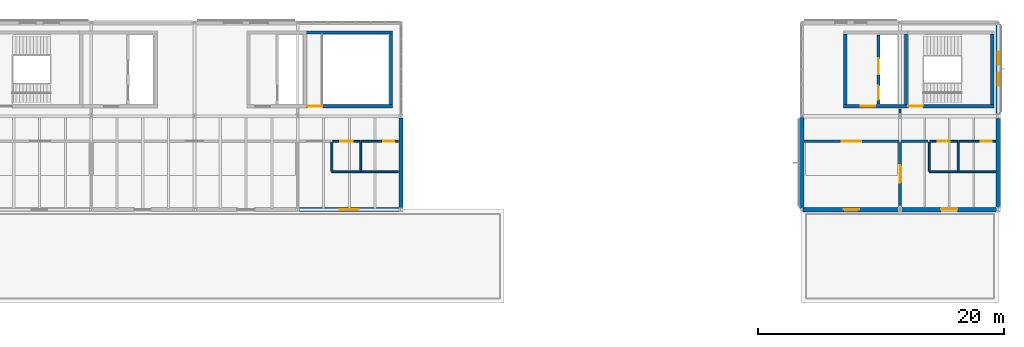
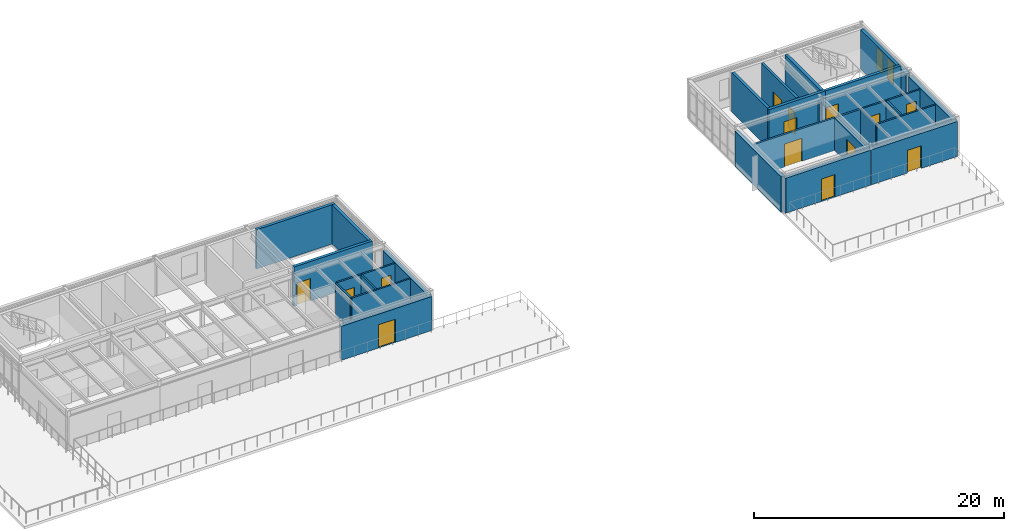
# One storey, part 22 of 26: 30 walls, 14 doors, 2 windows, 16 openings.
"""IFC4 building model written with IfcOpenShell, lengths in metres."""

from ifc_helpers import new_model, si_unit, direction, frame, frame_2d, origin, place, context, subcontext, project, spatial, rectangle, extrude, material, layer, layer_set, type_object, element, fill, save


model = new_model("IFC4")

# Units and contexts
model_context = context("Model", 3, precision=1e-05, world=origin(), true_north=direction((0.0, 1.0)))
body_context = subcontext(model_context, "Body", "Model", "MODEL_VIEW")
ifc_project = project(units=[si_unit("LENGTHUNIT", "METRE"), si_unit("AREAUNIT", "SQUARE_METRE"), si_unit("VOLUMEUNIT", "CUBIC_METRE"), si_unit("PLANEANGLEUNIT", "RADIAN"), si_unit("MASSUNIT", "GRAM", prefix="KILO")], contexts=[model_context])

# Site, building, storey
site_placement = place(None, origin())
site = spatial("IfcSite", under=ifc_project, at=site_placement, CompositionType="ELEMENT")
building_placement = place(site_placement, origin())
building = spatial("IfcBuilding", under=site, at=building_placement, Name="Montecoro Central Library", CompositionType="ELEMENT")
storey_placement = place(building_placement, frame((0.0, 0.0, 21.419921875)))
storey = spatial("IfcBuildingStorey", under=building, at=storey_placement, Name="L05", CompositionType="ELEMENT", Elevation=21.419921875)

# Wall, opening, door
ifc_material_1 = material(Name="Roman travertine stone clad concrete C35/45", Category="masonry")
ifc_layer_1 = layer(ifc_material_1, 0.364990234375)
ifc_layer_set_1 = layer_set([ifc_layer_1], Name="Roman travertine stone clad concrete C35/45")
wall_type_1 = type_object("IfcWallType", Name="EW-STK-365", PredefinedType="SOLIDWALL", material=ifc_layer_set_1)
wall_1_placement = place(storey_placement, frame((141.093017578125, 103.800048828125, 0.0), z_axis=(0.0, 0.0, 1.0), x_axis=(1.0, 0.0, 0.0)))
wall_1 = element("IfcWall", 1, at=wall_1_placement, inside=storey, type_object=wall_type_1, Name="V5-L05-EW-S0", PredefinedType="SOLIDWALL", context=body_context, shape_type="SweptSolid", body=[
    extrude(rectangle(XDim=7.902099609375, YDim=0.364990234375, at=frame_2d((3.951171875, 0.0))), origin(), (0.0, 0.0, 1.0), 3.43017578125),
])
opening_1_placement = place(wall_1_placement, frame((3.325927734375, 0.0, 0.0)))
opening_1 = element("IfcOpeningElement", 2, at=opening_1_placement, cuts=wall_1, Name="Opening ED-09", PredefinedType="OPENING", context=body_context, shape_type="SweptSolid", body=[
    extrude(rectangle(XDim=1.25, YDim=2.199951171875, at=frame_2d((0.625, 1.10009765625))), frame((0.0, 0.1923828125, 0.0), z_axis=(0.0, -1.0, 0.0), x_axis=(1.0, 0.0, 0.0)), (0.0, 0.0, 1.0), 0.385009765625),
])
ifc_material_2 = material(Name="Thermally broken architectural bronze and safety glass", Category="glass")
door_type_1 = type_object("IfcDoorType", Name="ED-TER-125", OperationType="NOTDEFINED", PredefinedType="DOOR", material=ifc_material_2)
door_1_placement = place(opening_1_placement, origin())
door_1 = element("IfcDoor", 3, at=door_1_placement, inside=storey, type_object=door_type_1, Name="V5-L05-TD-S0", OperationType="SINGLE_SWING_RIGHT", OverallHeight=2.199951171875, OverallWidth=1.25, PredefinedType="DOOR", context=body_context, shape_type="SweptSolid", body=[
    extrude(rectangle(XDim=1.25, YDim=2.199951171875, at=frame_2d((0.625, 1.10009765625))), frame((0.0, 0.02490234375, 0.0), z_axis=(0.0, -1.0, 0.0), x_axis=(1.0, 0.0, 0.0)), (0.0, 0.0, 1.0), 0.050048828125),
])
fill(opening_1, door_1)

wall_2_placement = place(storey_placement, frame((149.0048828125, 103.800048828125, 0.0), z_axis=(0.0, 0.0, 1.0), x_axis=(1.0, 0.0, 0.0)))
wall_2 = element("IfcWall", 4, at=wall_2_placement, inside=storey, type_object=wall_type_1, Name="V5-L05-EW-S1", PredefinedType="SOLIDWALL", context=body_context, shape_type="SweptSolid", body=[
    extrude(rectangle(XDim=7.990234375, YDim=0.364990234375, at=frame_2d((3.9951171875, 0.0))), origin(), (0.0, 0.0, 1.0), 3.43017578125),
])
opening_2_placement = place(wall_2_placement, frame((3.3349609375, 0.0, 0.0)))
opening_2 = element("IfcOpeningElement", 5, at=opening_2_placement, cuts=wall_2, Name="Opening ED-10", PredefinedType="OPENING", context=body_context, shape_type="SweptSolid", body=[
    extrude(rectangle(XDim=1.320068359375, YDim=2.219970703125, at=frame_2d((0.66015625, 1.10986328125))), frame((0.0, 0.1923828125, 0.0), z_axis=(0.0, -1.0, 0.0), x_axis=(1.0, 0.0, 0.0)), (0.0, 0.0, 1.0), 0.385009765625),
])
door_type_2 = type_object("IfcDoorType", Name="ED-TER-132", OperationType="NOTDEFINED", PredefinedType="DOOR", material=ifc_material_2)
door_2_placement = place(opening_2_placement, origin())
door_2 = element("IfcDoor", 6, at=door_2_placement, inside=storey, type_object=door_type_2, Name="V5-L05-TD-S1", OperationType="SINGLE_SWING_LEFT", OverallHeight=2.219970703125, OverallWidth=1.320068359375, PredefinedType="DOOR", context=body_context, shape_type="SweptSolid", body=[
    extrude(rectangle(XDim=1.320068359375, YDim=2.219970703125, at=frame_2d((0.66015625, 1.10986328125))), frame((0.0, 0.02490234375, 0.0), z_axis=(0.0, -1.0, 0.0), x_axis=(1.0, 0.0, 0.0)), (0.0, 0.0, 1.0), 0.050048828125),
])
fill(opening_2, door_2)

# Wall
wall_3_placement = place(storey_placement, frame((157.0, 103.97802734375, 0.0), z_axis=(0.0, 0.0, 1.0), x_axis=(0.0, 1.0, 0.0)))
element("IfcWall", 7, at=wall_3_placement, inside=storey, type_object=wall_type_1, Name="V5-L05-EW-E0", PredefinedType="SOLIDWALL", context=body_context, shape_type="SweptSolid", body=[
    extrude(rectangle(XDim=7.243896484375, YDim=0.364990234375, at=frame_2d((3.6220703125, 0.0))), origin(), (0.0, 0.0, 1.0), 3.27001953125),
])

# Wall, openings, windows
wall_4_placement = place(storey_placement, frame((157.0, 111.577880859375, 0.0), z_axis=(0.0, 0.0, 1.0), x_axis=(0.0, 1.0, 0.0)))
wall_4 = element("IfcWall", 8, at=wall_4_placement, inside=storey, type_object=wall_type_1, Name="V5-L05-EW-E1", PredefinedType="SOLIDWALL", context=body_context, shape_type="SweptSolid", body=[
    extrude(rectangle(XDim=7.3291015625, YDim=0.364990234375, at=frame_2d((3.66455078125, 0.0))), origin(), (0.0, 0.0, 1.0), 3.27001953125),
])
opening_3_placement = place(wall_4_placement, frame((2.2890625, 0.0, 0.800048828125)))
opening_3 = element("IfcOpeningElement", 9, at=opening_3_placement, cuts=wall_4, Name="Opening WN-03", PredefinedType="OPENING", context=body_context, shape_type="SweptSolid", body=[
    extrude(rectangle(XDim=1.050048828125, YDim=2.050048828125, at=frame_2d((0.52490234375, 1.02490234375))), frame((0.0, 0.1923828125, 0.0), z_axis=(0.0, -1.0, 0.0), x_axis=(1.0, 0.0, 0.0)), (0.0, 0.0, 1.0), 0.385009765625),
])
opening_4_placement = place(wall_4_placement, frame((3.989013671875, 0.0, 0.800048828125)))
opening_4 = element("IfcOpeningElement", 10, at=opening_4_placement, cuts=wall_4, Name="Opening WN-03", PredefinedType="OPENING", context=body_context, shape_type="SweptSolid", body=[
    extrude(rectangle(XDim=1.050048828125, YDim=2.050048828125, at=frame_2d((0.52490234375, 1.02490234375))), frame((0.0, 0.1923828125, 0.0), z_axis=(0.0, -1.0, 0.0), x_axis=(1.0, 0.0, 0.0)), (0.0, 0.0, 1.0), 0.385009765625),
])
ifc_material_3 = material(Name="UV-filtered triple glazing", Category="glass")
window_type = type_object("IfcWindowType", Name="WN-STK-105", PartitioningType="SINGLE_PANEL", PredefinedType="WINDOW", material=ifc_material_3)
window_1_placement = place(opening_3_placement, origin())
window_1 = element("IfcWindow", 11, at=window_1_placement, inside=storey, type_object=window_type, Name="V5-L05-WN-E1-1", OverallHeight=2.050048828125, OverallWidth=1.050048828125, PartitioningType="SINGLE_PANEL", PredefinedType="WINDOW", context=body_context, shape_type="SweptSolid", body=[
    extrude(rectangle(XDim=1.050048828125, YDim=2.050048828125, at=frame_2d((0.52490234375, 1.02490234375))), frame((0.0, 0.030029296875, 0.0), z_axis=(0.0, -1.0, 0.0), x_axis=(1.0, 0.0, 0.0)), (0.0, 0.0, 1.0), 0.06005859375),
])
fill(opening_3, window_1)
window_2_placement = place(opening_4_placement, origin())
window_2 = element("IfcWindow", 12, at=window_2_placement, inside=storey, type_object=window_type, Name="V5-L05-WN-E1-2", OverallHeight=2.050048828125, OverallWidth=1.050048828125, PartitioningType="SINGLE_PANEL", PredefinedType="WINDOW", context=body_context, shape_type="SweptSolid", body=[
    extrude(rectangle(XDim=1.050048828125, YDim=2.050048828125, at=frame_2d((0.52490234375, 1.02490234375))), frame((0.0, 0.030029296875, 0.0), z_axis=(0.0, -1.0, 0.0), x_axis=(1.0, 0.0, 0.0)), (0.0, 0.0, 1.0), 0.06005859375),
])
fill(opening_4, window_2)

# Wall
wall_5_placement = place(storey_placement, frame((141.0, 111.306884765625, 0.0), z_axis=(0.0, 0.0, 1.0), x_axis=(0.0, -1.0, 0.0)))
element("IfcWall", 13, at=wall_5_placement, inside=storey, type_object=wall_type_1, Name="V5-L05-EW-W0", PredefinedType="SOLIDWALL", context=body_context, shape_type="SweptSolid", body=[
    extrude(rectangle(XDim=7.413818359375, YDim=0.364990234375, at=frame_2d((3.70703125, 0.0))), origin(), (0.0, 0.0, 1.0), 3.47998046875),
])

# Wall, opening, door
ifc_layer_2 = layer(ifc_material_1, 0.344970703125)
ifc_layer_set_2 = layer_set([ifc_layer_2], Name="Roman travertine stone clad concrete C35/45")
wall_type_2 = type_object("IfcWallType", Name="EW-TRV-345", PredefinedType="SOLIDWALL", material=ifc_layer_set_2)
wall_6_placement = place(storey_placement, frame((100.00390625, 103.800048828125, 0.0), z_axis=(0.0, 0.0, 1.0), x_axis=(1.0, 0.0, 0.0)))
wall_6 = element("IfcWall", 14, at=wall_6_placement, inside=storey, type_object=wall_type_2, Name="V2-L05-EW-S3", PredefinedType="SOLIDWALL", context=body_context, shape_type="SweptSolid", body=[
    extrude(rectangle(XDim=8.39208984375, YDim=0.344970703125, at=frame_2d((4.196044921875, 0.0))), origin(), (0.0, 0.0, 1.0), 3.320068359375),
])
opening_5_placement = place(wall_6_placement, frame((3.4208984375, 0.0, 0.0)))
opening_5 = element("IfcOpeningElement", 15, at=opening_5_placement, cuts=wall_6, Name="Opening ED-08", PredefinedType="OPENING", context=body_context, shape_type="SweptSolid", body=[
    extrude(rectangle(XDim=1.550048828125, YDim=2.280029296875, at=frame_2d((0.77490234375, 1.14013671875))), frame((0.0, 0.182373046875, 0.0), z_axis=(0.0, -1.0, 0.0), x_axis=(1.0, 0.0, 0.0)), (0.0, 0.0, 1.0), 0.364990234375),
])
door_type_3 = type_object("IfcDoorType", Name="ED-TER-155", OperationType="NOTDEFINED", PredefinedType="DOOR", material=ifc_material_2)
door_3_placement = place(opening_5_placement, origin())
door_3 = element("IfcDoor", 16, at=door_3_placement, inside=storey, type_object=door_type_3, Name="V2-L05-TD-S3", OperationType="SINGLE_SWING_LEFT", OverallHeight=2.280029296875, OverallWidth=1.550048828125, PredefinedType="DOOR", context=body_context, shape_type="SweptSolid", body=[
    extrude(rectangle(XDim=1.550048828125, YDim=2.280029296875, at=frame_2d((0.77490234375, 1.14013671875))), frame((0.0, 0.02490234375, 0.0), z_axis=(0.0, -1.0, 0.0), x_axis=(1.0, 0.0, 0.0)), (0.0, 0.0, 1.0), 0.050048828125),
])
fill(opening_5, door_3)

# Wall
wall_7_placement = place(storey_placement, frame((108.39990234375, 103.93798828125, 0.0), z_axis=(0.0, 0.0, 1.0), x_axis=(0.0, 1.0, 0.0)))
element("IfcWall", 17, at=wall_7_placement, inside=storey, type_object=wall_type_2, Name="V2-L05-EW-E0", PredefinedType="SOLIDWALL", context=body_context, shape_type="SweptSolid", body=[
    extrude(rectangle(XDim=7.323974609375, YDim=0.344970703125, at=frame_2d((3.662109375, 0.0))), origin(), (0.0, 0.0, 1.0), 3.219970703125),
])

# Wall, opening, door
ifc_material_4 = material(Name="Gypsum fire-rated partition")
ifc_layer_3 = layer(ifc_material_4, 0.179931640625)
ifc_layer_set_3 = layer_set([ifc_layer_3], Name="Gypsum fire-rated partition")
wall_type_3 = type_object("IfcWallType", Name="IW-COR-180", PredefinedType="PARTITIONING", material=ifc_layer_set_3)
wall_8_placement = place(storey_placement, frame((141.199951171875, 109.35009765625, 0.0), z_axis=(0.0, 0.0, 1.0), x_axis=(1.0, 0.0, 0.0)))
wall_8 = element("IfcWall", 18, at=wall_8_placement, inside=storey, type_object=wall_type_3, Name="CORW-V5-L05-01", PredefinedType="PARTITIONING", context=body_context, shape_type="SweptSolid", body=[
    extrude(rectangle(XDim=7.7099609375, YDim=0.179931640625, at=frame_2d((3.85498046875, 0.0))), origin(), (0.0, 0.0, 1.0), 3.18017578125),
])
opening_6_placement = place(wall_8_placement, frame((3.054931640625, 0.0, 0.0)))
opening_6 = element("IfcOpeningElement", 19, at=opening_6_placement, cuts=wall_8, Name="Opening ID-06", PredefinedType="OPENING", context=body_context, shape_type="SweptSolid", body=[
    extrude(rectangle(XDim=1.60009765625, YDim=2.25, at=frame_2d((0.800048828125, 1.125))), frame((0.0, 0.099853515625, 0.0), z_axis=(0.0, -1.0, 0.0), x_axis=(1.0, 0.0, 0.0)), (0.0, 0.0, 1.0), 0.199951171875),
])
ifc_material_5 = material(Name="Solid oak and fire-rated steel door", Category="steel")
door_type_4 = type_object("IfcDoorType", Name="ID-COR-160", OperationType="NOTDEFINED", PredefinedType="DOOR", material=ifc_material_5)
door_4_placement = place(opening_6_placement, origin())
door_4 = element("IfcDoor", 20, at=door_4_placement, inside=storey, type_object=door_type_4, Name="DR-SP-V5-L05-R1P1", OperationType="DOUBLE_DOOR_SINGLE_SWING", OverallHeight=2.25, OverallWidth=1.60009765625, PredefinedType="DOOR", context=body_context, shape_type="SweptSolid", body=[
    extrude(rectangle(XDim=1.60009765625, YDim=2.25, at=frame_2d((0.800048828125, 1.125))), frame((0.0, 0.02490234375, 0.0), z_axis=(0.0, -1.0, 0.0), x_axis=(1.0, 0.0, 0.0)), (0.0, 0.0, 1.0), 0.050048828125),
])
fill(opening_6, door_4)

# Walls
wall_9_placement = place(storey_placement, frame((149.090087890625, 109.35009765625, 0.0), z_axis=(0.0, 0.0, 1.0), x_axis=(1.0, 0.0, 0.0)))
element("IfcWall", 21, at=wall_9_placement, inside=storey, type_object=wall_type_3, Name="CORW-V5-L05-02", PredefinedType="PARTITIONING", context=body_context, shape_type="SweptSolid", body=[
    extrude(rectangle(XDim=2.169921875, YDim=0.179931640625, at=frame_2d((1.0849609375, 0.0))), origin(), (0.0, 0.0, 1.0), 3.18017578125),
])
wall_10_placement = place(storey_placement, frame((149.0, 111.639892578125, 0.0), z_axis=(0.0, 0.0, 1.0), x_axis=(0.0, 1.0, 0.0)))
element("IfcWall", 22, at=wall_10_placement, inside=storey, type_object=wall_type_3, Name="PIL-V5-L05-1", PredefinedType="PARTITIONING", context=body_context, shape_type="SweptSolid", body=[
    extrude(rectangle(XDim=0.320068359375, YDim=0.179931640625, at=frame_2d((0.16015625, 0.0))), origin(), (0.0, 0.0, 1.0), 3.18017578125),
])

# Wall, openings, doors
ifc_material_6 = material(Name="Concrete C32/40", Category="concrete")
ifc_layer_4 = layer(ifc_material_6, 0.219970703125)
ifc_layer_set_4 = layer_set([ifc_layer_4], Name="Concrete C32/40")
wall_type_4 = type_object("IfcWallType", Name="IW-FFL-220", PredefinedType="SOLIDWALL", material=ifc_layer_set_4)
wall_11_placement = place(storey_placement, frame((147.25, 112.39990234375, 0.0), z_axis=(0.0, 0.0, 1.0), x_axis=(0.0, 1.0, 0.0)))
wall_11 = element("IfcWall", 23, at=wall_11_placement, inside=storey, type_object=wall_type_4, Name="C6-L05-WLSH", PredefinedType="SOLIDWALL", context=body_context, shape_type="SweptSolid", body=[
    extrude(rectangle(XDim=5.60009765625, YDim=0.219970703125, at=frame_2d((2.800048828125, 0.0))), origin(), (0.0, 0.0, 1.0), 3.844970703125),
])
opening_7_placement = place(wall_11_placement, frame((0.35009765625, 0.0, 0.0)))
opening_7 = element("IfcOpeningElement", 24, at=opening_7_placement, cuts=wall_11, Name="Opening LD-01", PredefinedType="OPENING", context=body_context, shape_type="SweptSolid", body=[
    extrude(rectangle(XDim=1.10009765625, YDim=2.14990234375, at=frame_2d((0.550048828125, 1.074951171875))), frame((0.0, 0.119873046875, 0.0), z_axis=(0.0, -1.0, 0.0), x_axis=(1.0, 0.0, 0.0)), (0.0, 0.0, 1.0), 0.239990234375),
])
opening_8_placement = place(wall_11_placement, frame((2.39990234375, 0.0, 0.0)))
opening_8 = element("IfcOpeningElement", 25, at=opening_8_placement, cuts=wall_11, Name="Opening LD-02", PredefinedType="OPENING", context=body_context, shape_type="SweptSolid", body=[
    extrude(rectangle(XDim=1.300048828125, YDim=2.179931640625, at=frame_2d((0.64990234375, 1.08984375))), frame((0.0, 0.119873046875, 0.0), z_axis=(0.0, -1.0, 0.0), x_axis=(1.0, 0.0, 0.0)), (0.0, 0.0, 1.0), 0.239990234375),
])
door_type_5 = type_object("IfcDoorType", Name="LD-LIFT-110", OperationType="NOTDEFINED", PredefinedType="DOOR", material=ifc_material_5)
door_5_placement = place(opening_7_placement, origin())
door_5 = element("IfcDoor", 26, at=door_5_placement, inside=storey, type_object=door_type_5, Name="C6-L05-LD-FFL-02", OperationType="SLIDING_TO_LEFT", OverallHeight=2.14990234375, OverallWidth=1.10009765625, PredefinedType="DOOR", context=body_context, shape_type="SweptSolid", body=[
    extrude(rectangle(XDim=1.10009765625, YDim=2.14990234375, at=frame_2d((0.550048828125, 1.074951171875))), frame((0.0, 0.02490234375, 0.0), z_axis=(0.0, -1.0, 0.0), x_axis=(1.0, 0.0, 0.0)), (0.0, 0.0, 1.0), 0.050048828125),
])
fill(opening_7, door_5)
door_type_6 = type_object("IfcDoorType", Name="LD-LIFT-130", OperationType="NOTDEFINED", PredefinedType="DOOR", material=ifc_material_5)
door_6_placement = place(opening_8_placement, origin())
door_6 = element("IfcDoor", 27, at=door_6_placement, inside=storey, type_object=door_type_6, Name="C6-L05-LD-GL-01", OperationType="SLIDING_TO_LEFT", OverallHeight=2.179931640625, OverallWidth=1.300048828125, PredefinedType="DOOR", context=body_context, shape_type="SweptSolid", body=[
    extrude(rectangle(XDim=1.300048828125, YDim=2.179931640625, at=frame_2d((0.64990234375, 1.08984375))), frame((0.0, 0.02490234375, 0.0), z_axis=(0.0, -1.0, 0.0), x_axis=(1.0, 0.0, 0.0)), (0.0, 0.0, 1.0), 0.050048828125),
])
fill(opening_8, door_6)

# Wall, opening, door
ifc_material_7 = material(Name="Concrete C35/45", Category="concrete")
ifc_layer_5 = layer(ifc_material_7, 0.260009765625)
ifc_layer_set_5 = layer_set([ifc_layer_5], Name="Concrete C35/45")
wall_type_5 = type_object("IfcWallType", Name="IW-SHR-260", PredefinedType="SHEAR", material=ifc_layer_set_5)
wall_12_placement = place(storey_placement, frame((100.469970703125, 112.199951171875, 0.0), z_axis=(0.0, 0.0, 1.0), x_axis=(1.0, 0.0, 0.0)))
wall_12 = element("IfcWall", 28, at=wall_12_placement, inside=storey, type_object=wall_type_5, Name="C3-L05-WS", PredefinedType="SHEAR", context=body_context, shape_type="SweptSolid", body=[
    extrude(rectangle(XDim=7.260009765625, YDim=0.260009765625, at=frame_2d((3.6298828125, 0.0))), origin(), (0.0, 0.0, 1.0), 3.844970703125),
])
opening_9_placement = place(wall_12_placement, frame((0.31005859375, 0.0, 0.0)))
opening_9 = element("IfcOpeningElement", 29, at=opening_9_placement, cuts=wall_12, Name="Opening ID-01", PredefinedType="OPENING", context=body_context, shape_type="SweptSolid", body=[
    extrude(rectangle(XDim=1.219970703125, YDim=2.179931640625, at=frame_2d((0.60986328125, 1.08984375))), frame((0.0, 0.139892578125, 0.0), z_axis=(0.0, -1.0, 0.0), x_axis=(1.0, 0.0, 0.0)), (0.0, 0.0, 1.0), 0.280029296875),
])
door_type_7 = type_object("IfcDoorType", Name="ID-STR-140", OperationType="NOTDEFINED", PredefinedType="DOOR", material=ifc_material_5)
door_7_placement = place(opening_9_placement, origin())
door_7 = element("IfcDoor", 30, at=door_7_placement, inside=storey, type_object=door_type_7, Name="C3-L05-DSTR", OperationType="SINGLE_SWING_RIGHT", OverallHeight=2.179931640625, OverallWidth=1.219970703125, PredefinedType="DOOR", context=body_context, shape_type="SweptSolid", body=[
    extrude(rectangle(XDim=1.219970703125, YDim=2.179931640625, at=frame_2d((0.60986328125, 1.08984375))), frame((0.0, 0.02490234375, 0.0), z_axis=(0.0, -1.0, 0.0), x_axis=(1.0, 0.0, 0.0)), (0.0, 0.0, 1.0), 0.050048828125),
])
fill(opening_9, door_7)

# Walls
wall_13_placement = place(storey_placement, frame((100.469970703125, 118.199951171875, 0.0), z_axis=(0.0, 0.0, 1.0), x_axis=(1.0, 0.0, 0.0)))
element("IfcWall", 31, at=wall_13_placement, inside=storey, type_object=wall_type_5, Name="C3-L05-WN", PredefinedType="SHEAR", context=body_context, shape_type="SweptSolid", body=[
    extrude(rectangle(XDim=7.260009765625, YDim=0.260009765625, at=frame_2d((3.6298828125, 0.0))), origin(), (0.0, 0.0, 1.0), 3.844970703125),
])
wall_14_placement = place(storey_placement, frame((107.60009765625, 112.330078125, 0.0), z_axis=(0.0, 0.0, 1.0), x_axis=(0.0, 1.0, 0.0)))
element("IfcWall", 32, at=wall_14_placement, inside=storey, type_object=wall_type_5, Name="C3-L05-WE", PredefinedType="SHEAR", context=body_context, shape_type="SweptSolid", body=[
    extrude(rectangle(XDim=5.739990234375, YDim=0.260009765625, at=frame_2d((2.8701171875, 0.0))), origin(), (0.0, 0.0, 1.0), 3.844970703125),
])

# Wall, opening, door
wall_15_placement = place(storey_placement, frame((144.419921875, 112.199951171875, 0.0), z_axis=(0.0, 0.0, 1.0), x_axis=(1.0, 0.0, 0.0)))
wall_15 = element("IfcWall", 33, at=wall_15_placement, inside=storey, type_object=wall_type_5, Name="C6-L05-LWS", PredefinedType="SHEAR", context=body_context, shape_type="SweptSolid", body=[
    extrude(rectangle(XDim=5.2099609375, YDim=0.260009765625, at=frame_2d((2.60498046875, 0.0))), origin(), (0.0, 0.0, 1.0), 3.844970703125),
])
opening_10_placement = place(wall_15_placement, frame((1.3798828125, 0.0, 0.0)))
opening_10 = element("IfcOpeningElement", 34, at=opening_10_placement, cuts=wall_15, Name="Opening ID-03", PredefinedType="OPENING", context=body_context, shape_type="SweptSolid", body=[
    extrude(rectangle(XDim=1.199951171875, YDim=2.159912109375, at=frame_2d((0.60009765625, 1.080078125))), frame((0.0, 0.139892578125, 0.0), z_axis=(0.0, -1.0, 0.0), x_axis=(1.0, 0.0, 0.0)), (0.0, 0.0, 1.0), 0.280029296875),
])
door_type_8 = type_object("IfcDoorType", Name="ID-FFL-120", OperationType="NOTDEFINED", PredefinedType="DOOR", material=ifc_material_5)
door_8_placement = place(opening_10_placement, origin())
door_8 = element("IfcDoor", 35, at=door_8_placement, inside=storey, type_object=door_type_8, Name="C6-L05-DLOB", OperationType="SINGLE_SWING_LEFT", OverallHeight=2.159912109375, OverallWidth=1.199951171875, PredefinedType="DOOR", context=body_context, shape_type="SweptSolid", body=[
    extrude(rectangle(XDim=1.199951171875, YDim=2.159912109375, at=frame_2d((0.60009765625, 1.080078125))), frame((0.0, 0.02490234375, 0.0), z_axis=(0.0, -1.0, 0.0), x_axis=(1.0, 0.0, 0.0)), (0.0, 0.0, 1.0), 0.050048828125),
])
fill(opening_10, door_8)

# Wall
wall_16_placement = place(storey_placement, frame((144.550048828125, 118.070068359375, 0.0), z_axis=(0.0, 0.0, 1.0), x_axis=(0.0, -1.0, 0.0)))
element("IfcWall", 36, at=wall_16_placement, inside=storey, type_object=wall_type_5, Name="C6-L05-LWW", PredefinedType="SHEAR", context=body_context, shape_type="SweptSolid", body=[
    extrude(rectangle(XDim=5.739990234375, YDim=0.260009765625, at=frame_2d((2.8701171875, 0.0))), origin(), (0.0, 0.0, 1.0), 3.844970703125),
])

# Wall, opening, door
wall_17_placement = place(storey_placement, frame((149.3701171875, 112.199951171875, 0.0), z_axis=(0.0, 0.0, 1.0), x_axis=(1.0, 0.0, 0.0)))
wall_17 = element("IfcWall", 37, at=wall_17_placement, inside=storey, type_object=wall_type_5, Name="C6-L05-WS", PredefinedType="SHEAR", context=body_context, shape_type="SweptSolid", body=[
    extrude(rectangle(XDim=7.259765625, YDim=0.260009765625, at=frame_2d((3.6298828125, 0.0))), origin(), (0.0, 0.0, 1.0), 3.844970703125),
])
opening_11_placement = place(wall_17_placement, frame((0.31005859375, 0.0, 0.0)))
opening_11 = element("IfcOpeningElement", 38, at=opening_11_placement, cuts=wall_17, Name="Opening ID-02", PredefinedType="OPENING", context=body_context, shape_type="SweptSolid", body=[
    extrude(rectangle(XDim=1.179931640625, YDim=2.179931640625, at=frame_2d((0.58984375, 1.08984375))), frame((0.0, 0.139892578125, 0.0), z_axis=(0.0, -1.0, 0.0), x_axis=(1.0, 0.0, 0.0)), (0.0, 0.0, 1.0), 0.280029296875),
])
door_type_9 = type_object("IfcDoorType", Name="ID-STR-135", OperationType="NOTDEFINED", PredefinedType="DOOR", material=ifc_material_5)
door_9_placement = place(opening_11_placement, origin())
door_9 = element("IfcDoor", 39, at=door_9_placement, inside=storey, type_object=door_type_9, Name="C6-L05-DSTR", OperationType="SINGLE_SWING_RIGHT", OverallHeight=2.179931640625, OverallWidth=1.179931640625, PredefinedType="DOOR", context=body_context, shape_type="SweptSolid", body=[
    extrude(rectangle(XDim=1.179931640625, YDim=2.179931640625, at=frame_2d((0.58984375, 1.08984375))), frame((0.0, 0.02490234375, 0.0), z_axis=(0.0, -1.0, 0.0), x_axis=(1.0, 0.0, 0.0)), (0.0, 0.0, 1.0), 0.050048828125),
])
fill(opening_11, door_9)

# Walls
for number, where, z_axis, x_axis, name in (
    (40, (149.5, 112.330078125, 0.0), (0.0, 0.0, 1.0), (0.0, 1.0, 0.0), "C6-L05-WW"),
    (41, (156.5, 112.330078125, 0.0), (0.0, 0.0, 1.0), (0.0, 1.0, 0.0), "C6-L05-WE"),
):
    element("IfcWall", number, at=place(storey_placement, frame(where, z_axis=z_axis, x_axis=x_axis)), inside=storey, type_object=wall_type_5, Name=name, PredefinedType="SHEAR", context=body_context, shape_type="SweptSolid", body=[
        extrude(rectangle(XDim=5.739990234375, YDim=0.260009765625, at=frame_2d((2.8701171875, 0.0))), origin(), (0.0, 0.0, 1.0), 3.844970703125),
    ])

# Wall, opening, door
ifc_layer_6 = layer(ifc_material_6, 0.239990234375)
ifc_layer_set_6 = layer_set([ifc_layer_6], Name="Concrete C32/40")
wall_type_6 = type_object("IfcWallType", Name="IW-VLT-240", PredefinedType="SOLIDWALL", material=ifc_layer_set_6)
wall_18_placement = place(storey_placement, frame((149.0, 104.1201171875, 0.0), z_axis=(0.0, 0.0, 1.0), x_axis=(0.0, 1.0, 0.0)))
wall_18 = element("IfcWall", 42, at=wall_18_placement, inside=storey, type_object=wall_type_6, Name="Archival Vault Enclosure Wall", PredefinedType="SOLIDWALL", context=body_context, shape_type="SweptSolid", body=[
    extrude(rectangle(XDim=5.139892578125, YDim=0.239990234375, at=frame_2d((2.56982421875, 0.0))), origin(), (0.0, 0.0, 1.0), 3.18017578125),
])
opening_12_placement = place(wall_18_placement, frame((1.8701171875, 0.0, 0.0)))
opening_12 = element("IfcOpeningElement", 43, at=opening_12_placement, cuts=wall_18, Name="Opening ID-08", PredefinedType="OPENING", context=body_context, shape_type="SweptSolid", body=[
    extrude(rectangle(XDim=1.39990234375, YDim=2.219970703125, at=frame_2d((0.699951171875, 1.10986328125))), frame((0.0, 0.1298828125, 0.0), z_axis=(0.0, -1.0, 0.0), x_axis=(1.0, 0.0, 0.0)), (0.0, 0.0, 1.0), 0.260009765625),
])
door_type_10 = type_object("IfcDoorType", Name="ID-RDG-140", OperationType="NOTDEFINED", PredefinedType="DOOR", material=ifc_material_5)
door_10_placement = place(opening_12_placement, origin())
door_10 = element("IfcDoor", 44, at=door_10_placement, inside=storey, type_object=door_type_10, Name="DR-SP-V5-L05-R2P1", OperationType="SINGLE_SWING_LEFT", OverallHeight=2.219970703125, OverallWidth=1.39990234375, PredefinedType="DOOR", context=body_context, shape_type="SweptSolid", body=[
    extrude(rectangle(XDim=1.39990234375, YDim=2.219970703125, at=frame_2d((0.699951171875, 1.10986328125))), frame((0.0, 0.02490234375, 0.0), z_axis=(0.0, -1.0, 0.0), x_axis=(1.0, 0.0, 0.0)), (0.0, 0.0, 1.0), 0.050048828125),
])
fill(opening_12, door_10)

# Walls
ifc_material_8 = material(Name="Moisture-resistant ceramic-tiled partition")
ifc_layer_7 = layer(ifc_material_8, 0.14990234375)
ifc_layer_set_7 = layer_set([ifc_layer_7], Name="Moisture-resistant ceramic-tiled partition")
wall_type_7 = type_object("IfcWallType", Name="IW-WET-150", PredefinedType="PARTITIONING", material=ifc_layer_set_7)
wall_19_placement = place(storey_placement, frame((102.780029296875, 106.8701171875, 0.0), z_axis=(0.0, 0.0, 1.0), x_axis=(1.0, 0.0, 0.0)))
element("IfcWall", 45, at=wall_19_placement, inside=storey, type_object=wall_type_7, Name="WC-V2-L05-WBK", PredefinedType="PARTITIONING", context=body_context, shape_type="SweptSolid", body=[
    extrude(rectangle(XDim=5.419921875, YDim=0.14990234375, at=frame_2d((2.7099609375, 0.0))), origin(), (0.0, 0.0, 1.0), 3.18017578125),
])
for number, where, z_axis, x_axis, name in (
    (46, (102.780029296875, 106.929931640625, 0.0), (0.0, 0.0, 1.0), (0.0, 1.0, 0.0), "WC-V2-L05-WW"),
    (47, (105.1298828125, 106.929931640625, 0.0), (0.0, 0.0, 1.0), (0.0, 1.0, 0.0), "WC-V2-L05-WM"),
):
    element("IfcWall", number, at=place(storey_placement, frame(where, z_axis=z_axis, x_axis=x_axis)), inside=storey, type_object=wall_type_7, Name=name, PredefinedType="PARTITIONING", context=body_context, shape_type="SweptSolid", body=[
        extrude(rectangle(XDim=2.360107421875, YDim=0.14990234375, at=frame_2d((1.18017578125, 0.0))), origin(), (0.0, 0.0, 1.0), 3.18017578125),
    ])

# Wall, opening, door
wall_20_placement = place(storey_placement, frame((102.840087890625, 109.35009765625, 0.0), z_axis=(0.0, 0.0, 1.0), x_axis=(1.0, 0.0, 0.0)))
wall_20 = element("IfcWall", 48, at=wall_20_placement, inside=storey, type_object=wall_type_7, Name="WC-V2-L05-WFA", PredefinedType="PARTITIONING", context=body_context, shape_type="SweptSolid", body=[
    extrude(rectangle(XDim=2.25, YDim=0.14990234375, at=frame_2d((1.125, 0.0))), origin(), (0.0, 0.0, 1.0), 3.18017578125),
])
opening_13_placement = place(wall_20_placement, frame((0.625, 0.0, 0.0)))
opening_13 = element("IfcOpeningElement", 49, at=opening_13_placement, cuts=wall_20, Name="Opening ID-15", PredefinedType="OPENING", context=body_context, shape_type="SweptSolid", body=[
    extrude(rectangle(XDim=1.0, YDim=2.14990234375, at=frame_2d((0.5, 1.074951171875))), frame((0.0, 0.0849609375, 0.0), z_axis=(0.0, -1.0, 0.0), x_axis=(1.0, 0.0, 0.0)), (0.0, 0.0, 1.0), 0.169921875),
])
door_type_11 = type_object("IfcDoorType", Name="ID-AWC-100", OperationType="NOTDEFINED", PredefinedType="DOOR", material=ifc_material_5)
door_11_placement = place(opening_13_placement, origin())
door_11 = element("IfcDoor", 50, at=door_11_placement, inside=storey, type_object=door_type_11, Name="DR-SP-V2-L05-AWC", OperationType="SINGLE_SWING_RIGHT", OverallHeight=2.14990234375, OverallWidth=1.0, PredefinedType="DOOR", context=body_context, shape_type="SweptSolid", body=[
    extrude(rectangle(XDim=1.0, YDim=2.14990234375, at=frame_2d((0.5, 1.074951171875))), frame((0.0, 0.02490234375, 0.0), z_axis=(0.0, -1.0, 0.0), x_axis=(1.0, 0.0, 0.0)), (0.0, 0.0, 1.0), 0.050048828125),
])
fill(opening_13, door_11)

wall_21_placement = place(storey_placement, frame((105.169921875, 109.35009765625, 0.0), z_axis=(0.0, 0.0, 1.0), x_axis=(1.0, 0.0, 0.0)))
wall_21 = element("IfcWall", 51, at=wall_21_placement, inside=storey, type_object=wall_type_7, Name="WC-V2-L05-WFP", PredefinedType="PARTITIONING", context=body_context, shape_type="SweptSolid", body=[
    extrude(rectangle(XDim=3.030029296875, YDim=0.14990234375, at=frame_2d((1.51513671875, 0.0))), origin(), (0.0, 0.0, 1.0), 3.18017578125),
])
opening_14_placement = place(wall_21_placement, frame((1.780029296875, 0.0, 0.0)))
opening_14 = element("IfcOpeningElement", 52, at=opening_14_placement, cuts=wall_21, Name="Opening ID-16", PredefinedType="OPENING", context=body_context, shape_type="SweptSolid", body=[
    extrude(rectangle(XDim=0.89990234375, YDim=2.14990234375, at=frame_2d((0.449951171875, 1.074951171875))), frame((0.0, 0.0849609375, 0.0), z_axis=(0.0, -1.0, 0.0), x_axis=(1.0, 0.0, 0.0)), (0.0, 0.0, 1.0), 0.169921875),
])
door_type_12 = type_object("IfcDoorType", Name="ID-WC-090", OperationType="NOTDEFINED", PredefinedType="DOOR", material=ifc_material_5)
door_12_placement = place(opening_14_placement, origin())
door_12 = element("IfcDoor", 53, at=door_12_placement, inside=storey, type_object=door_type_12, Name="DR-SP-V2-L05-PWC", OperationType="SINGLE_SWING_LEFT", OverallHeight=2.14990234375, OverallWidth=0.89990234375, PredefinedType="DOOR", context=body_context, shape_type="SweptSolid", body=[
    extrude(rectangle(XDim=0.89990234375, YDim=2.14990234375, at=frame_2d((0.449951171875, 1.074951171875))), frame((0.0, 0.02490234375, 0.0), z_axis=(0.0, -1.0, 0.0), x_axis=(1.0, 0.0, 0.0)), (0.0, 0.0, 1.0), 0.050048828125),
])
fill(opening_14, door_12)

# Walls
wall_22_placement = place(storey_placement, frame((151.3798828125, 106.8701171875, 0.0), z_axis=(0.0, 0.0, 1.0), x_axis=(1.0, 0.0, 0.0)))
element("IfcWall", 54, at=wall_22_placement, inside=storey, type_object=wall_type_7, Name="WC-V5-L05-WBK", PredefinedType="PARTITIONING", context=body_context, shape_type="SweptSolid", body=[
    extrude(rectangle(XDim=5.420166015625, YDim=0.14990234375, at=frame_2d((2.7099609375, 0.0))), origin(), (0.0, 0.0, 1.0), 3.18017578125),
])
for number, where, z_axis, x_axis, name in (
    (55, (151.3798828125, 106.929931640625, 0.0), (0.0, 0.0, 1.0), (0.0, 1.0, 0.0), "WC-V5-L05-WW"),
    (56, (153.72998046875, 106.929931640625, 0.0), (0.0, 0.0, 1.0), (0.0, 1.0, 0.0), "WC-V5-L05-WM"),
):
    element("IfcWall", number, at=place(storey_placement, frame(where, z_axis=z_axis, x_axis=x_axis)), inside=storey, type_object=wall_type_7, Name=name, PredefinedType="PARTITIONING", context=body_context, shape_type="SweptSolid", body=[
        extrude(rectangle(XDim=2.360107421875, YDim=0.14990234375, at=frame_2d((1.18017578125, 0.0))), origin(), (0.0, 0.0, 1.0), 3.18017578125),
    ])

# Wall, opening, door
wall_23_placement = place(storey_placement, frame((151.43994140625, 109.35009765625, 0.0), z_axis=(0.0, 0.0, 1.0), x_axis=(1.0, 0.0, 0.0)))
wall_23 = element("IfcWall", 57, at=wall_23_placement, inside=storey, type_object=wall_type_7, Name="WC-V5-L05-WFA", PredefinedType="PARTITIONING", context=body_context, shape_type="SweptSolid", body=[
    extrude(rectangle(XDim=2.25, YDim=0.14990234375, at=frame_2d((1.125, 0.0))), origin(), (0.0, 0.0, 1.0), 3.18017578125),
])
opening_15_placement = place(wall_23_placement, frame((0.625, 0.0, 0.0)))
opening_15 = element("IfcOpeningElement", 58, at=opening_15_placement, cuts=wall_23, Name="Opening ID-15", PredefinedType="OPENING", context=body_context, shape_type="SweptSolid", body=[
    extrude(rectangle(XDim=1.0, YDim=2.14990234375, at=frame_2d((0.5, 1.074951171875))), frame((0.0, 0.0849609375, 0.0), z_axis=(0.0, -1.0, 0.0), x_axis=(1.0, 0.0, 0.0)), (0.0, 0.0, 1.0), 0.169921875),
])
door_13_placement = place(opening_15_placement, origin())
door_13 = element("IfcDoor", 59, at=door_13_placement, inside=storey, type_object=door_type_11, Name="DR-SP-V5-L05-AWC", OperationType="SINGLE_SWING_LEFT", OverallHeight=2.14990234375, OverallWidth=1.0, PredefinedType="DOOR", context=body_context, shape_type="SweptSolid", body=[
    extrude(rectangle(XDim=1.0, YDim=2.14990234375, at=frame_2d((0.5, 1.074951171875))), frame((0.0, 0.02490234375, 0.0), z_axis=(0.0, -1.0, 0.0), x_axis=(1.0, 0.0, 0.0)), (0.0, 0.0, 1.0), 0.050048828125),
])
fill(opening_15, door_13)

wall_24_placement = place(storey_placement, frame((153.77001953125, 109.35009765625, 0.0), z_axis=(0.0, 0.0, 1.0), x_axis=(1.0, 0.0, 0.0)))
wall_24 = element("IfcWall", 60, at=wall_24_placement, inside=storey, type_object=wall_type_7, Name="WC-V5-L05-WFP", PredefinedType="PARTITIONING", context=body_context, shape_type="SweptSolid", body=[
    extrude(rectangle(XDim=3.030029296875, YDim=0.14990234375, at=frame_2d((1.51513671875, 0.0))), origin(), (0.0, 0.0, 1.0), 3.18017578125),
])
opening_16_placement = place(wall_24_placement, frame((1.780029296875, 0.0, 0.0)))
opening_16 = element("IfcOpeningElement", 61, at=opening_16_placement, cuts=wall_24, Name="Opening ID-16", PredefinedType="OPENING", context=body_context, shape_type="SweptSolid", body=[
    extrude(rectangle(XDim=0.89990234375, YDim=2.14990234375, at=frame_2d((0.449951171875, 1.074951171875))), frame((0.0, 0.0849609375, 0.0), z_axis=(0.0, -1.0, 0.0), x_axis=(1.0, 0.0, 0.0)), (0.0, 0.0, 1.0), 0.169921875),
])
door_14_placement = place(opening_16_placement, origin())
door_14 = element("IfcDoor", 62, at=door_14_placement, inside=storey, type_object=door_type_12, Name="DR-SP-V5-L05-PWC", OperationType="SINGLE_SWING_RIGHT", OverallHeight=2.14990234375, OverallWidth=0.89990234375, PredefinedType="DOOR", context=body_context, shape_type="SweptSolid", body=[
    extrude(rectangle(XDim=0.89990234375, YDim=2.14990234375, at=frame_2d((0.449951171875, 1.074951171875))), frame((0.0, 0.02490234375, 0.0), z_axis=(0.0, -1.0, 0.0), x_axis=(1.0, 0.0, 0.0)), (0.0, 0.0, 1.0), 0.050048828125),
])
fill(opening_16, door_14)

save(model, "model.ifc")
